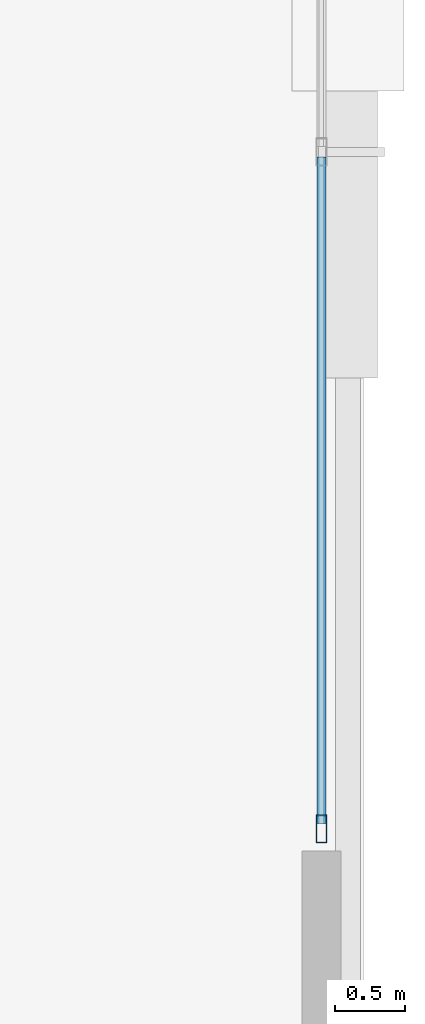
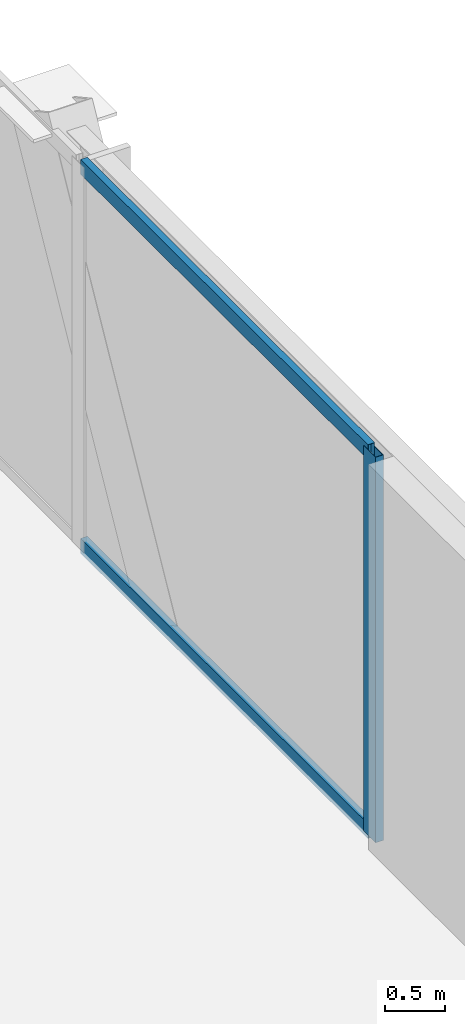
# One storey, part 32 of 46: 3 members, 1 element without a shape of its own.
"""IFC4 building model written with IfcOpenShell, lengths in metres."""

from ifc_helpers import new_model, si_unit, direction, frame, origin, origin_2d, place, context, subcontext, project, spatial, hollow_rectangle, extrude, material, layer, layer_set, material_profile, profile_set, type_object, element, aggregate, save


model = new_model("IFC4")

# Units and contexts
model_context = context("Model", 3, precision=1e-05, world=origin(), true_north=direction((0.0, 1.0)))
body_context = subcontext(model_context, "Body", "Model", "MODEL_VIEW")
ifc_project = project(units=[si_unit("LENGTHUNIT", "METRE"), si_unit("AREAUNIT", "SQUARE_METRE"), si_unit("VOLUMEUNIT", "CUBIC_METRE"), si_unit("PLANEANGLEUNIT", "RADIAN"), si_unit("MASSUNIT", "GRAM", prefix="KILO")], contexts=[model_context])

# Site, building, storey
site_placement = place(None, origin())
site = spatial("IfcSite", under=ifc_project, at=site_placement, CompositionType="ELEMENT")
building_placement = place(site_placement, origin())
building = spatial("IfcBuilding", under=site, at=building_placement, Name="Orvanel Arch Residences", CompositionType="ELEMENT")
storey_placement = place(building_placement, frame((0.0, 0.0, 14.10009765625)))
storey = spatial("IfcBuildingStorey", under=building, at=storey_placement, Name="L03", CompositionType="ELEMENT", Elevation=14.10009765625)

# Curtain wall, members
ifc_material = material(Name="Bronze-anodised aluminium AA6063-T6", Category="aluminium")
ifc_layer = layer(ifc_material, 0.199951171875)
ifc_layer_set = layer_set([ifc_layer], Name="Bronze-anodised aluminium AA6063-T6")
curtain_wall_type = type_object("IfcCurtainWallType", Name="CW1-POD-SYS", PredefinedType="NOTDEFINED", material=ifc_layer_set)
curtain_wall_placement = place(storey_placement, origin())
curtain_wall = element("IfcCurtainWall", 1, at=curtain_wall_placement, inside=storey, type_object=curtain_wall_type, Name="L03 CW1-POD-SYS Unitised Curtain Wall", PredefinedType="NOTDEFINED")
ifc_material_profile_1 = material_profile(ifc_material, hollow_rectangle(XDim=0.074951171875, YDim=0.199951171875, WallThickness=0.0048828125, at=origin_2d()), Name="ALU200x75x5")
ifc_profile_set_1 = profile_set([ifc_material_profile_1], Name="Bronze-anodised aluminium AA6063-T6")
member_type_1 = type_object("IfcMemberType", Name="MUL-200x75", PredefinedType="MULLION", material=ifc_profile_set_1)
member_1_placement = place(storey_placement, frame((64.449951171875, 44.677490234375, 0.0), z_axis=(0.0, 0.0, 1.0), x_axis=(-1.0, 0.0, 0.0)))
member_1 = element("IfcMember", 2, at=member_1_placement, type_object=member_type_1, Name="CW-S1 mullion 1", PredefinedType="MULLION", context=body_context, shape_type="SweptSolid", body=[
    extrude(hollow_rectangle(XDim=0.074951171875, YDim=0.199951171875, WallThickness=0.0048828125, at=origin_2d()), origin(), (0.0, 0.0, 1.0), 3.89990234375),
])
ifc_material_profile_2 = material_profile(ifc_material, hollow_rectangle(XDim=0.06494140625, YDim=0.14990234375, WallThickness=0.00390625, at=origin_2d()), Name="ALU150x65x4")
ifc_profile_set_2 = profile_set([ifc_material_profile_2], Name="Bronze-anodised aluminium AA6063-T6")
member_type_2 = type_object("IfcMemberType", Name="TRN-150x65", PredefinedType="USERDEFINED", material=ifc_profile_set_2)
member_2_placement = place(storey_placement, frame((64.449951171875, 44.715087890625, 0.032470703125), z_axis=(0.0, 1.0, 0.0), x_axis=(-1.0, 0.0, 0.0)))
member_2 = element("IfcMember", 3, at=member_2_placement, type_object=member_type_2, Name="CW-S1 transom 1.1", ObjectType="TRANSOM", PredefinedType="USERDEFINED", context=body_context, shape_type="SweptSolid", body=[
    extrude(hollow_rectangle(XDim=0.06494140625, YDim=0.14990234375, WallThickness=0.00390625, at=origin_2d()), origin(), (0.0, 0.0, 1.0), 4.762451171875),
])
member_3_placement = place(storey_placement, frame((64.449951171875, 44.715087890625, 3.867431640625), z_axis=(0.0, 1.0, 0.0), x_axis=(-1.0, 0.0, 0.0)))
member_3 = element("IfcMember", 4, at=member_3_placement, type_object=member_type_2, Name="CW-S1 transom 1.2", ObjectType="TRANSOM", PredefinedType="USERDEFINED", context=body_context, shape_type="SweptSolid", body=[
    extrude(hollow_rectangle(XDim=0.06494140625, YDim=0.14990234375, WallThickness=0.00390625, at=origin_2d()), origin(), (0.0, 0.0, 1.0), 4.762451171875),
])
aggregate(curtain_wall, [member_1, member_2, member_3])

save(model, "model.ifc")
